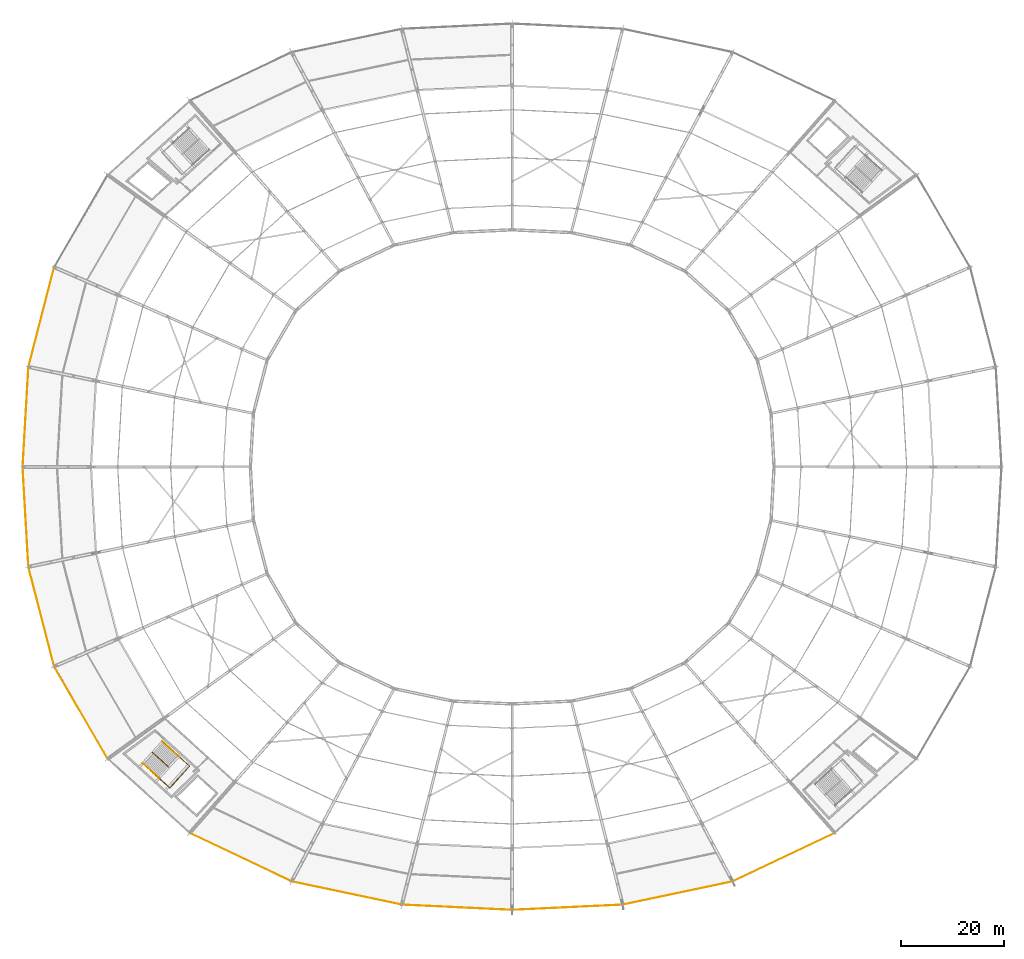
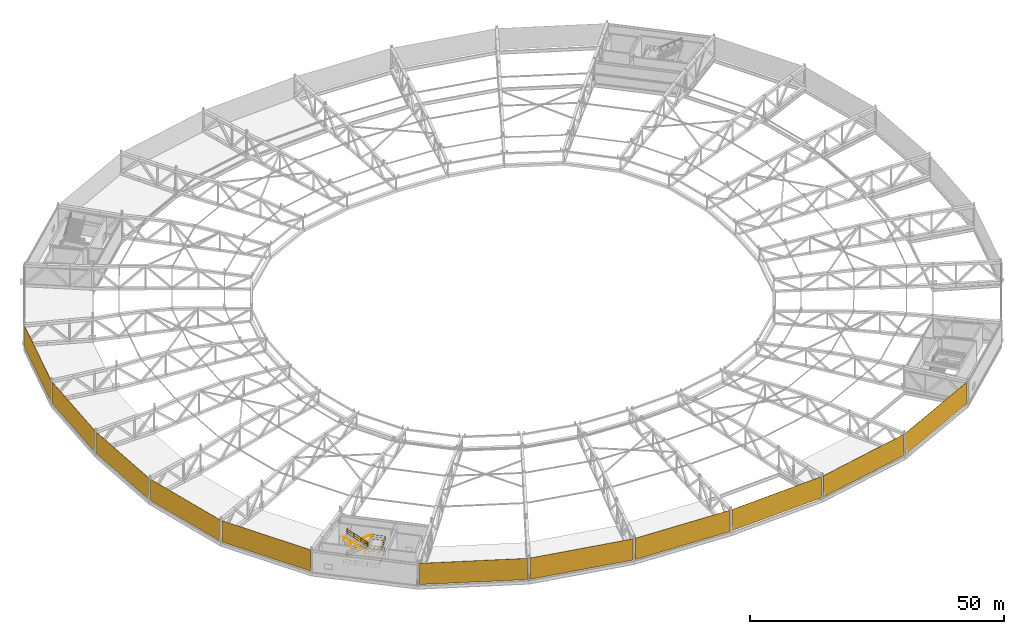
# One storey, part 160 of 162: 11 coverings, 5 railings.
"""IFC4 building model written with IfcOpenShell, lengths in metres."""

from ifc_helpers import new_model, si_unit, direction, frame, origin, origin_2d, place, context, subcontext, project, spatial, rectangle, extrude, material, layer, layer_set, type_object, element, save


model = new_model("IFC4")

# Units and contexts
model_context = context("Model", 3, precision=1e-05, world=origin(), true_north=direction((0.0, 1.0)))
body_context = subcontext(model_context, "Body", "Model", "MODEL_VIEW")
ifc_project = project(units=[si_unit("LENGTHUNIT", "METRE"), si_unit("AREAUNIT", "SQUARE_METRE"), si_unit("VOLUMEUNIT", "CUBIC_METRE"), si_unit("PLANEANGLEUNIT", "RADIAN"), si_unit("MASSUNIT", "GRAM", prefix="KILO")], contexts=[model_context])

# Site, building, storey
site_placement = place(None, origin())
site = spatial("IfcSite", under=ifc_project, at=site_placement, CompositionType="ELEMENT")
building_placement = place(site_placement, origin())
building = spatial("IfcBuilding", under=site, at=building_placement, Name="Kazemori Nagisa Stadium", CompositionType="ELEMENT")
storey_placement = place(building_placement, frame((0.0, 0.0, 36.719970703125)))
storey = spatial("IfcBuildingStorey", under=building, at=storey_placement, Name="RF", CompositionType="ELEMENT", Elevation=36.719970703125)

# Coverings
ifc_material_1 = material(Name="Anodised aluminium 6063-T5", Category="aluminium")
ifc_layer = layer(ifc_material_1, 0.034912109375, Name="Anodised aluminium 6063-T5", Category="aluminium")
ifc_layer_set = layer_set([ifc_layer], Name="Anodised aluminium 6063-T5")
covering_type = type_object("IfcCoveringType", Name="Covering_CLAD", PredefinedType="CLADDING", material=ifc_layer_set)
covering_1_placement = place(storey_placement, frame((31.6171875, 131.07373046875, 0.030029296875), z_axis=(0.0, 0.0, 1.0), x_axis=(-0.249964642418, -0.968254965152, 0.0)))
element("IfcCovering", 1, at=covering_1_placement, inside=storey, type_object=covering_type, Name="Canopy perimeter acoustic fascia screen RF-B13", PredefinedType="CLADDING", context=body_context, shape_type="SweptSolid", body=[
    extrude(rectangle(XDim=19.486328125, YDim=0.050048828125, at=origin_2d()), origin(), (0.0, 0.0, 1.0), 5.10009765625),
])
for number, where, z_axis, x_axis, name in (
    (2, (28.5595703125, 111.69873046875, 0.030029296875), (0.0, 0.0, 1.0), (-0.057601670941, -0.998339645364, 0.0), "Canopy perimeter acoustic fascia screen RF-B14"),
    (3, (28.5595703125, 92.30126953125, 0.030029296875), (0.0, 0.0, 1.0), (0.057601670941, -0.998339645364, 0.0), "Canopy perimeter acoustic fascia screen RF-B15"),
):
    element("IfcCovering", number, at=place(storey_placement, frame(where, z_axis=z_axis, x_axis=x_axis)), inside=storey, type_object=covering_type, Name=name, PredefinedType="CLADDING", context=body_context, shape_type="SweptSolid", body=[
        extrude(rectangle(XDim=18.929931640625, YDim=0.050048828125, at=origin_2d()), origin(), (0.0, 0.0, 1.0), 5.10009765625),
    ])
covering_2_placement = place(storey_placement, frame((31.6171875, 72.92626953125, 0.030029296875), z_axis=(0.0, 0.0, 1.0), x_axis=(0.249964642418, -0.968254965152, 0.0)))
element("IfcCovering", 4, at=covering_2_placement, inside=storey, type_object=covering_type, Name="Canopy perimeter acoustic fascia screen RF-B16", PredefinedType="CLADDING", context=body_context, shape_type="SweptSolid", body=[
    extrude(rectangle(XDim=19.486328125, YDim=0.050048828125, at=origin_2d()), origin(), (0.0, 0.0, 1.0), 5.10009765625),
])
covering_3_placement = place(storey_placement, frame((39.309814453125, 54.29150390625, 0.030029296875), z_axis=(0.0, 0.0, 1.0), x_axis=(0.501611590054, -0.865092950337, 0.0)))
element("IfcCovering", 5, at=covering_3_placement, inside=storey, type_object=covering_type, Name="Canopy perimeter acoustic fascia screen RF-B17", PredefinedType="CLADDING", context=body_context, shape_type="SweptSolid", body=[
    extrude(rectangle(XDim=20.21240234375, YDim=0.050048828125, at=origin_2d()), origin(), (0.0, 0.0, 1.0), 5.10009765625),
])
covering_4_placement = place(storey_placement, frame((70.298583984375, 26.23828125, 0.030029296875), z_axis=(0.0, 0.0, 1.0), x_axis=(0.903215892654, -0.429186499388, 0.0)))
element("IfcCovering", 6, at=covering_4_placement, inside=storey, type_object=covering_type, Name="Canopy perimeter acoustic fascia screen RF-B19", PredefinedType="CLADDING", context=body_context, shape_type="SweptSolid", body=[
    extrude(rectangle(XDim=21.414306640625, YDim=0.050048828125, at=origin_2d()), origin(), (0.0, 0.0, 1.0), 5.10009765625),
])
covering_5_placement = place(storey_placement, frame((90.8837890625, 19.2744140625, 0.030029296875), z_axis=(0.0, 0.0, 1.0), x_axis=(0.978344955407, -0.206981033502, 0.0)))
element("IfcCovering", 7, at=covering_5_placement, inside=storey, type_object=covering_type, Name="Canopy perimeter acoustic fascia screen RF-B20", PredefinedType="CLADDING", context=body_context, shape_type="SweptSolid", body=[
    extrude(rectangle(XDim=21.35009765625, YDim=0.050048828125, at=origin_2d()), origin(), (0.0, 0.0, 1.0), 5.10009765625),
])
for number, where, z_axis, x_axis, name in (
    (8, (112.2861328125, 16.506591796875, 0.030029296875), (0.0, 0.0, 1.0), (0.998884022476, -0.047230388971, 0.0), "Canopy perimeter acoustic fascia screen RF-B21"),
    (9, (133.7138671875, 16.506591796875, 0.030029296875), (0.0, 0.0, 1.0), (0.998884022476, 0.047230388971, 0.0), "Canopy perimeter acoustic fascia screen RF-B22"),
):
    element("IfcCovering", number, at=place(storey_placement, frame(where, z_axis=z_axis, x_axis=x_axis)), inside=storey, type_object=covering_type, Name=name, PredefinedType="CLADDING", context=body_context, shape_type="SweptSolid", body=[
        extrude(rectangle(XDim=20.95166015625, YDim=0.050048828125, at=origin_2d()), origin(), (0.0, 0.0, 1.0), 5.10009765625),
    ])
covering_6_placement = place(storey_placement, frame((155.1162109375, 19.2744140625, 0.030029296875), z_axis=(0.0, 0.0, 1.0), x_axis=(0.978344955407, 0.206981033502, 0.0)))
element("IfcCovering", 10, at=covering_6_placement, inside=storey, type_object=covering_type, Name="Canopy perimeter acoustic fascia screen RF-B23", PredefinedType="CLADDING", context=body_context, shape_type="SweptSolid", body=[
    extrude(rectangle(XDim=21.35009765625, YDim=0.050048828125, at=origin_2d()), origin(), (0.0, 0.0, 1.0), 5.10009765625),
])
covering_7_placement = place(storey_placement, frame((175.701416015625, 26.23828125, 0.030029296875), z_axis=(0.0, 0.0, 1.0), x_axis=(0.903215892654, 0.429186499388, 0.0)))
element("IfcCovering", 11, at=covering_7_placement, inside=storey, type_object=covering_type, Name="Canopy perimeter acoustic fascia screen RF-B24", PredefinedType="CLADDING", context=body_context, shape_type="SweptSolid", body=[
    extrude(rectangle(XDim=21.414306640625, YDim=0.050048828125, at=origin_2d()), origin(), (0.0, 0.0, 1.0), 5.10009765625),
])

# Railings
ifc_material_2 = material(Name="Galvanised powder-coated steel", Category="steel")
railing_type_1 = type_object("IfcRailingType", Name="Rail_GUARD", PredefinedType="GUARDRAIL", material=ifc_material_2)
railing_1_placement = place(storey_placement, frame((55.12353515625, 48.665771484375, 0.0)))
element("IfcRailing", 12, at=railing_1_placement, inside=storey, type_object=railing_type_1, Name="Stair well perimeter guard ST03-RF", PredefinedType="GUARDRAIL", context=body_context, shape_type="SweptSolid", body=[
    extrude(rectangle(XDim=0.050048828125, YDim=0.050048828125, at=origin_2d()), frame((0.0, 0.0, 1.09521484375), z_axis=(0.741349073354, -0.671119625281, 0.0), x_axis=(0.671119625281, 0.741349073354, 0.0)), (0.0, 0.0, 1.0), 7.09521484375),
    extrude(rectangle(XDim=0.03759765625, YDim=0.03759765625, at=origin_2d()), frame((0.0, 0.0, 0.58251953125), z_axis=(0.741349073354, -0.671119625281, 0.0), x_axis=(0.671119625281, 0.741349073354, 0.0)), (0.0, 0.0, 1.0), 7.09521484375),
    extrude(rectangle(XDim=0.03759765625, YDim=0.03759765625, at=origin_2d()), frame((0.0, 0.0, 0.02490234375), z_axis=(0.741349073354, -0.671119625281, 0.0), x_axis=(0.671119625281, 0.741349073354, 0.0)), (0.0, 0.0, 1.0), 7.09521484375),
    extrude(rectangle(XDim=0.050048828125, YDim=0.050048828125, at=origin_2d()), frame((5.260009765625, -4.76171875, 1.09521484375), z_axis=(-0.67113423669, -0.74133584585, 0.0), x_axis=(0.74133584585, -0.67113423669, 0.0)), (0.0, 0.0, 1.0), 5.699951171875),
    extrude(rectangle(XDim=0.03759765625, YDim=0.03759765625, at=origin_2d()), frame((5.260009765625, -4.76171875, 0.58251953125), z_axis=(-0.67113423669, -0.74133584585, 0.0), x_axis=(0.74133584585, -0.67113423669, 0.0)), (0.0, 0.0, 1.0), 5.699951171875),
    extrude(rectangle(XDim=0.03759765625, YDim=0.03759765625, at=origin_2d()), frame((5.260009765625, -4.76171875, 0.02490234375), z_axis=(-0.67113423669, -0.74133584585, 0.0), x_axis=(0.74133584585, -0.67113423669, 0.0)), (0.0, 0.0, 1.0), 5.699951171875),
    extrude(rectangle(XDim=0.050048828125, YDim=0.050048828125, at=origin_2d()), frame((1.4345703125, -8.9873046875, 1.09521484375), z_axis=(-0.741350695223, 0.671117833686, 0.0), x_axis=(-0.671117833686, -0.741350695223, 0.0)), (0.0, 0.0, 1.0), 7.0947265625),
    extrude(rectangle(XDim=0.03759765625, YDim=0.03759765625, at=origin_2d()), frame((1.4345703125, -8.9873046875, 0.58251953125), z_axis=(-0.741350695223, 0.671117833686, 0.0), x_axis=(-0.671117833686, -0.741350695223, 0.0)), (0.0, 0.0, 1.0), 7.0947265625),
    extrude(rectangle(XDim=0.03759765625, YDim=0.03759765625, at=origin_2d()), frame((1.4345703125, -8.9873046875, 0.02490234375), z_axis=(-0.741350695223, 0.671117833686, 0.0), x_axis=(-0.671117833686, -0.741350695223, 0.0)), (0.0, 0.0, 1.0), 7.0947265625),
    extrude(rectangle(XDim=0.044921875, YDim=0.044921875, at=origin_2d()), origin(), (0.0, 0.0, 1.0), 1.070068359375),
    extrude(rectangle(XDim=0.044921875, YDim=0.044921875, at=origin_2d()), frame((1.75341796875, -1.587158203125, 0.0)), (0.0, 0.0, 1.0), 1.070068359375),
    extrude(rectangle(XDim=0.044921875, YDim=0.044921875, at=origin_2d()), frame((3.506591796875, -3.174560546875, 0.0)), (0.0, 0.0, 1.0), 1.070068359375),
    extrude(rectangle(XDim=0.044921875, YDim=0.044921875, at=origin_2d()), frame((5.260009765625, -4.76171875, 0.0)), (0.0, 0.0, 1.0), 1.070068359375),
    extrude(rectangle(XDim=0.044921875, YDim=0.044921875, at=origin_2d()), frame((3.98486328125, -6.170166015625, 0.0)), (0.0, 0.0, 1.0), 1.070068359375),
    extrude(rectangle(XDim=0.044921875, YDim=0.044921875, at=origin_2d()), frame((2.709716796875, -7.578857421875, 0.0)), (0.0, 0.0, 1.0), 1.070068359375),
    extrude(rectangle(XDim=0.044921875, YDim=0.044921875, at=origin_2d()), frame((1.4345703125, -8.9873046875, 0.0)), (0.0, 0.0, 1.0), 1.070068359375),
    extrude(rectangle(XDim=0.044921875, YDim=0.044921875, at=origin_2d()), frame((-0.318603515625, -7.400146484375, 0.0)), (0.0, 0.0, 1.0), 1.070068359375),
    extrude(rectangle(XDim=0.044921875, YDim=0.044921875, at=origin_2d()), frame((-2.072021484375, -5.81298828125, 0.0)), (0.0, 0.0, 1.0), 1.070068359375),
    extrude(rectangle(XDim=0.044921875, YDim=0.044921875, at=origin_2d()), frame((-3.8251953125, -4.225830078125, 0.0)), (0.0, 0.0, 1.0), 1.070068359375),
])
railing_2_placement = place(storey_placement, frame((53.151611328125, 46.606689453125, 0.0)))
element("IfcRailing", 13, at=railing_2_placement, inside=storey, type_object=railing_type_1, Name="Stair central guard ST03-RF", PredefinedType="GUARDRAIL", context=body_context, shape_type="SweptSolid", body=[
    extrude(rectangle(XDim=0.050048828125, YDim=0.050048828125, at=origin_2d()), frame((0.0, 0.0, 1.09521484375), z_axis=(0.627557777508, -0.568113486393, 0.532370456043), x_axis=(0.67112318634, 0.741345849626, 0.0)), (0.0, 0.0, 1.0), 5.109130859375),
    extrude(rectangle(XDim=0.03759765625, YDim=0.03759765625, at=origin_2d()), frame((0.0, 0.0, 0.58251953125), z_axis=(0.627557777508, -0.568113486393, 0.532370456043), x_axis=(0.67112318634, 0.741345849626, 0.0)), (0.0, 0.0, 1.0), 5.109130859375),
    extrude(rectangle(XDim=0.03759765625, YDim=0.03759765625, at=origin_2d()), frame((0.0, 0.0, 0.02490234375), z_axis=(0.627557777508, -0.568113486393, 0.532370456043), x_axis=(0.67112318634, 0.741345849626, 0.0)), (0.0, 0.0, 1.0), 5.109130859375),
    extrude(rectangle(XDim=0.050048828125, YDim=0.050048828125, at=origin_2d()), frame((3.206298828125, -2.902587890625, 3.81494140625), z_axis=(-0.624200602078, 0.565073454279, 0.539504957933), x_axis=(-0.671122625547, -0.741346357298, 0.0)), (0.0, 0.0, 1.0), 5.04150390625),
    extrude(rectangle(XDim=0.03759765625, YDim=0.03759765625, at=origin_2d()), frame((3.206298828125, -2.902587890625, 3.302490234375), z_axis=(-0.624200602078, 0.565073454279, 0.539504957933), x_axis=(-0.671122625547, -0.741346357298, 0.0)), (0.0, 0.0, 1.0), 5.04150390625),
    extrude(rectangle(XDim=0.03759765625, YDim=0.03759765625, at=origin_2d()), frame((3.206298828125, -2.902587890625, 2.7451171875), z_axis=(-0.624200602078, 0.565073454279, 0.539504957933), x_axis=(-0.671122625547, -0.741346357298, 0.0)), (0.0, 0.0, 1.0), 5.04150390625),
    extrude(rectangle(XDim=0.044921875, YDim=0.044921875, at=origin_2d()), origin(), (0.0, 0.0, 1.0), 1.070068359375),
    extrude(rectangle(XDim=0.044921875, YDim=0.044921875, at=origin_2d()), frame((1.06884765625, -0.967529296875, 0.90673828125)), (0.0, 0.0, 1.0), 1.070068359375),
    extrude(rectangle(XDim=0.044921875, YDim=0.044921875, at=origin_2d()), frame((2.137451171875, -1.93505859375, 1.813232421875)), (0.0, 0.0, 1.0), 1.070068359375),
    extrude(rectangle(XDim=0.044921875, YDim=0.044921875, at=origin_2d()), frame((3.206298828125, -2.902587890625, 2.719970703125)), (0.0, 0.0, 1.0), 1.070068359375),
    extrude(rectangle(XDim=0.044921875, YDim=0.044921875, at=origin_2d()), frame((2.1572265625, -1.952880859375, 3.626708984375)), (0.0, 0.0, 1.0), 1.070068359375),
    extrude(rectangle(XDim=0.044921875, YDim=0.044921875, at=origin_2d()), frame((1.1083984375, -1.00341796875, 4.533203125)), (0.0, 0.0, 1.0), 1.070068359375),
    extrude(rectangle(XDim=0.044921875, YDim=0.044921875, at=origin_2d()), frame((0.059326171875, -0.0537109375, 5.43994140625)), (0.0, 0.0, 1.0), 1.070068359375),
])
railing_3_placement = place(storey_placement, frame((58.270751953125, 45.81689453125, 2.719970703125)))
element("IfcRailing", 14, at=railing_3_placement, inside=storey, type_object=railing_type_1, Name="Stair landing guard ST03-RF", PredefinedType="GUARDRAIL", context=body_context, shape_type="SweptSolid", body=[
    extrude(rectangle(XDim=0.050048828125, YDim=0.050048828125, at=origin_2d()), frame((0.0, 0.0, 1.09521484375), z_axis=(0.741314535645, -0.671157775223, 0.0), x_axis=(0.671157775223, 0.741314535645, 0.0)), (0.0, 0.0, 1.0), 2.85009765625),
    extrude(rectangle(XDim=0.03759765625, YDim=0.03759765625, at=origin_2d()), frame((0.0, 0.0, 0.58251953125), z_axis=(0.741314535645, -0.671157775223, 0.0), x_axis=(0.671157775223, 0.741314535645, 0.0)), (0.0, 0.0, 1.0), 2.85009765625),
    extrude(rectangle(XDim=0.03759765625, YDim=0.03759765625, at=origin_2d()), frame((0.0, 0.0, 0.02490234375), z_axis=(0.741314535645, -0.671157775223, 0.0), x_axis=(0.671157775223, 0.741314535645, 0.0)), (0.0, 0.0, 1.0), 2.85009765625),
    extrude(rectangle(XDim=0.050048828125, YDim=0.050048828125, at=origin_2d()), frame((2.11279296875, -1.912841796875, 1.09521484375), z_axis=(-0.67113423669, -0.74133584585, 0.0), x_axis=(0.74133584585, -0.67113423669, 0.0)), (0.0, 0.0, 1.0), 5.699951171875),
    extrude(rectangle(XDim=0.03759765625, YDim=0.03759765625, at=origin_2d()), frame((2.11279296875, -1.912841796875, 0.58251953125), z_axis=(-0.67113423669, -0.74133584585, 0.0), x_axis=(0.74133584585, -0.67113423669, 0.0)), (0.0, 0.0, 1.0), 5.699951171875),
    extrude(rectangle(XDim=0.03759765625, YDim=0.03759765625, at=origin_2d()), frame((2.11279296875, -1.912841796875, 0.02490234375), z_axis=(-0.67113423669, -0.74133584585, 0.0), x_axis=(0.74133584585, -0.67113423669, 0.0)), (0.0, 0.0, 1.0), 5.699951171875),
    extrude(rectangle(XDim=0.050048828125, YDim=0.050048828125, at=origin_2d()), frame((-1.712646484375, -6.138427734375, 1.09521484375), z_axis=(-0.741357156534, 0.671110696127, 0.0), x_axis=(-0.671110696127, -0.741357156534, 0.0)), (0.0, 0.0, 1.0), 2.849853515625),
    extrude(rectangle(XDim=0.03759765625, YDim=0.03759765625, at=origin_2d()), frame((-1.712646484375, -6.138427734375, 0.58251953125), z_axis=(-0.741357156534, 0.671110696127, 0.0), x_axis=(-0.671110696127, -0.741357156534, 0.0)), (0.0, 0.0, 1.0), 2.849853515625),
    extrude(rectangle(XDim=0.03759765625, YDim=0.03759765625, at=origin_2d()), frame((-1.712646484375, -6.138427734375, 0.02490234375), z_axis=(-0.741357156534, 0.671110696127, 0.0), x_axis=(-0.671110696127, -0.741357156534, 0.0)), (0.0, 0.0, 1.0), 2.849853515625),
    extrude(rectangle(XDim=0.044921875, YDim=0.044921875, at=origin_2d()), origin(), (0.0, 0.0, 1.0), 1.070068359375),
    extrude(rectangle(XDim=0.044921875, YDim=0.044921875, at=origin_2d()), frame((1.056396484375, -0.95654296875, 0.0)), (0.0, 0.0, 1.0), 1.070068359375),
    extrude(rectangle(XDim=0.044921875, YDim=0.044921875, at=origin_2d()), frame((2.11279296875, -1.912841796875, 0.0)), (0.0, 0.0, 1.0), 1.070068359375),
    extrude(rectangle(XDim=0.044921875, YDim=0.044921875, at=origin_2d()), frame((0.837646484375, -3.3212890625, 0.0)), (0.0, 0.0, 1.0), 1.070068359375),
    extrude(rectangle(XDim=0.044921875, YDim=0.044921875, at=origin_2d()), frame((-0.4375, -4.72998046875, 0.0)), (0.0, 0.0, 1.0), 1.070068359375),
    extrude(rectangle(XDim=0.044921875, YDim=0.044921875, at=origin_2d()), frame((-1.712646484375, -6.138427734375, 0.0)), (0.0, 0.0, 1.0), 1.070068359375),
    extrude(rectangle(XDim=0.044921875, YDim=0.044921875, at=origin_2d()), frame((-2.76904296875, -5.18212890625, 0.0)), (0.0, 0.0, 1.0), 1.070068359375),
    extrude(rectangle(XDim=0.044921875, YDim=0.044921875, at=origin_2d()), frame((-3.825439453125, -4.225830078125, 0.0)), (0.0, 0.0, 1.0), 1.070068359375),
])
ifc_material_3 = material(Name="Stainless steel SUS304", Category="steel")
railing_type_2 = type_object("IfcRailingType", Name="Rail_HAND", PredefinedType="HANDRAIL", material=ifc_material_3)
railing_4_placement = place(storey_placement, frame((55.064208984375, 48.719482421875, 0.169921875)))
element("IfcRailing", 15, at=railing_4_placement, inside=storey, type_object=railing_type_2, Name="Stair handrail ST03-RF-F1", PredefinedType="HANDRAIL", context=body_context, shape_type="SweptSolid", body=[
    extrude(rectangle(XDim=0.050048828125, YDim=0.050048828125, at=origin_2d()), frame((0.0, 0.0, 0.875), z_axis=(0.627570777512, -0.568081998922, 0.532388731768), x_axis=(0.671095101672, 0.741371273056, 0.0)), (0.0, 0.0, 1.0), 5.109375),
    extrude(rectangle(XDim=0.044921875, YDim=0.044921875, at=origin_2d()), origin(), (0.0, 0.0, 1.0), 0.849853515625),
    extrude(rectangle(XDim=0.044921875, YDim=0.044921875, at=origin_2d()), frame((1.06884765625, -0.967529296875, 0.90673828125)), (0.0, 0.0, 1.0), 0.849853515625),
    extrude(rectangle(XDim=0.044921875, YDim=0.044921875, at=origin_2d()), frame((2.1376953125, -1.93505859375, 1.8134765625)), (0.0, 0.0, 1.0), 0.849853515625),
    extrude(rectangle(XDim=0.044921875, YDim=0.044921875, at=origin_2d()), frame((3.20654296875, -2.902587890625, 2.72021484375)), (0.0, 0.0, 1.0), 0.849853515625),
])
railing_5_placement = place(storey_placement, frame((54.4453125, 41.591064453125, 2.89013671875)))
element("IfcRailing", 16, at=railing_5_placement, inside=storey, type_object=railing_type_2, Name="Stair handrail ST03-RF-F2", PredefinedType="HANDRAIL", context=body_context, shape_type="SweptSolid", body=[
    extrude(rectangle(XDim=0.050048828125, YDim=0.050048828125, at=origin_2d()), frame((0.0, 0.0, 0.875), z_axis=(-0.624200602078, 0.565073454279, 0.539504957933), x_axis=(-0.671122625547, -0.741346357298, 0.0)), (0.0, 0.0, 1.0), 5.04150390625),
    extrude(rectangle(XDim=0.044921875, YDim=0.044921875, at=origin_2d()), origin(), (0.0, 0.0, 1.0), 0.849853515625),
    extrude(rectangle(XDim=0.044921875, YDim=0.044921875, at=origin_2d()), frame((-1.049072265625, 0.94970703125, 0.90673828125)), (0.0, 0.0, 1.0), 0.849853515625),
    extrude(rectangle(XDim=0.044921875, YDim=0.044921875, at=origin_2d()), frame((-2.097900390625, 1.899169921875, 1.813232421875)), (0.0, 0.0, 1.0), 0.849853515625),
    extrude(rectangle(XDim=0.044921875, YDim=0.044921875, at=origin_2d()), frame((-3.14697265625, 2.848876953125, 2.719970703125)), (0.0, 0.0, 1.0), 0.849853515625),
])

save(model, "model.ifc")
